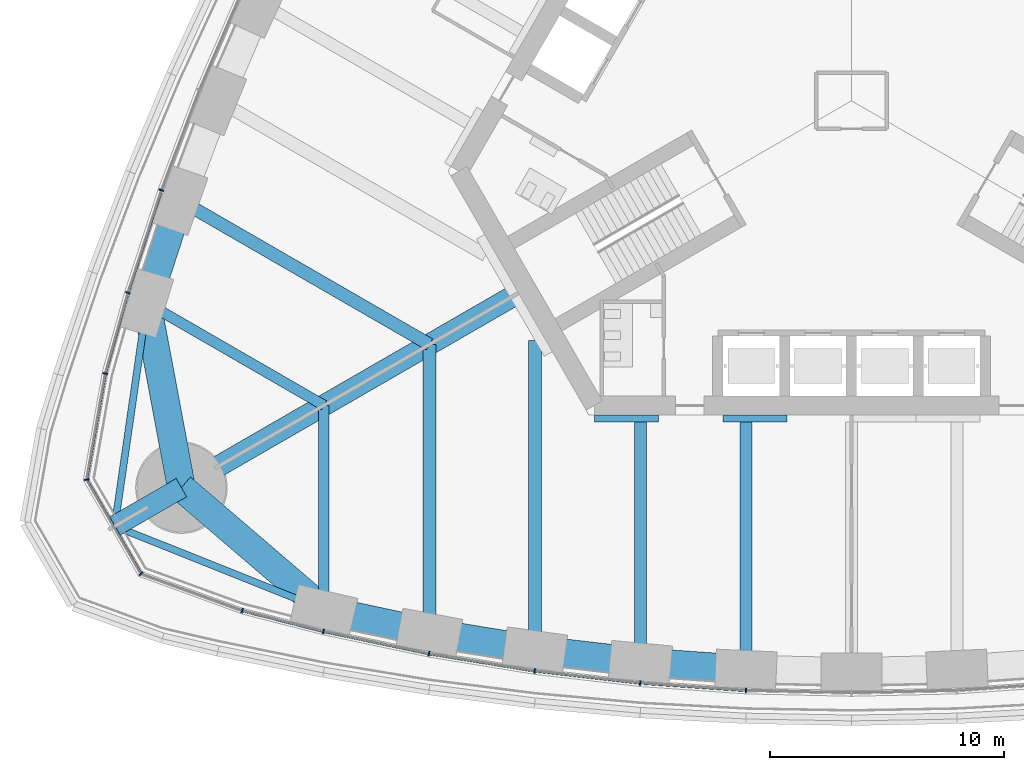
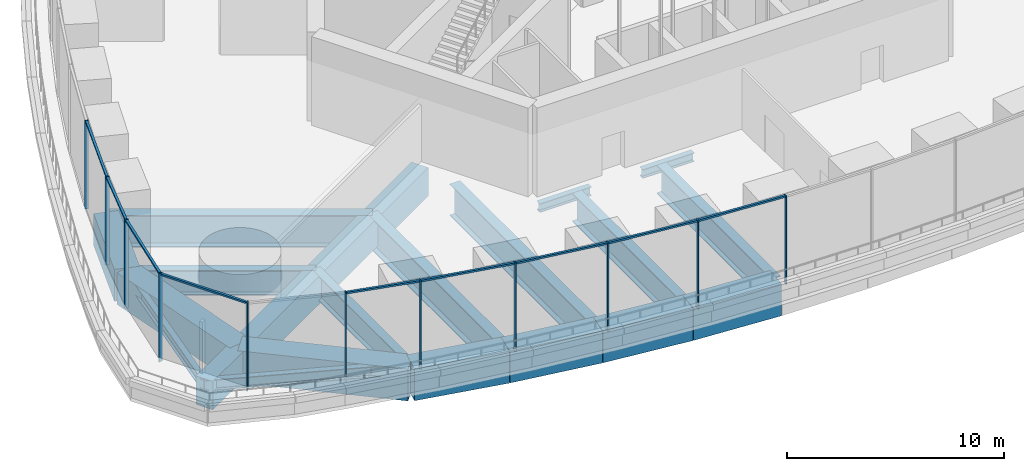
# One storey, part 2 of 31: 20 beams, 20 members, 3 elements without a shape of their own.
"""IFC4 building model written with IfcOpenShell, lengths in metres."""

import ifcopenshell
import ifcopenshell.guid

model = None  # the IFC model being written
_history = None  # IfcOwnerHistory: only IFC2X3 demands one
_inside = {}  # id of a spatial element -> (the spatial element, [elements in it])
_under = {}  # id of a project, library or spatial element -> (it, [spatial elements below it])
_declared = {}  # id of a project -> (the project, [libraries it declares])
_typed = {}  # id of a type object -> (the type object, [elements of that type])
_made_of = {}  # id of a material, layer set ... -> (it, [elements and type objects made of it])


def new_model(schema):
    """Start an empty IFC model of exactly this schema.

    Asked for "IFC4X3", IfcOpenShell would pick the latest addendum, in which some entities
    have other attributes; the version numbers below select the first issue.
    IFC2X3 requires an IfcOwnerHistory on every rooted entity: one is made here for all.
    """
    global model, _history
    if schema == "IFC4X3":
        model = ifcopenshell.file(schema_version=(4, 3, 0, 0))
    else:
        model = ifcopenshell.file(schema=schema)
    _inside.clear()
    _under.clear()
    _declared.clear()
    _typed.clear()
    _made_of.clear()
    _history = None
    if model.schema == "IFC2X3":
        org = make("IfcOrganization", Name="unknown")
        user = make(
            "IfcPersonAndOrganization",
            ThePerson=make("IfcPerson", FamilyName="unknown"),
            TheOrganization=org,
        )
        app = make(
            "IfcApplication",
            ApplicationDeveloper=org,
            Version="unknown",
            ApplicationFullName="unknown",
            ApplicationIdentifier="unknown",
        )
        _history = make(
            "IfcOwnerHistory",
            OwningUser=user,
            OwningApplication=app,
            ChangeAction="ADDED",
            CreationDate=0,
        )
    return model


def make(cls, **values):
    """One entity of the class cls with the attributes given. An attribute that is None is left unset."""
    return model.create_entity(
        cls, **{name: value for name, value in values.items() if value is not None}
    )


def rooted(cls, **values):
    """An entity with a GlobalId (a new one), such as an element, a storey or a relation."""
    return make(cls, GlobalId=ifcopenshell.guid.new(), OwnerHistory=_history, **values)


def si_unit(unit_type, name, prefix=None):
    """IfcSIUnit, for example si_unit("LENGTHUNIT", "METRE", prefix="MILLI")."""
    return make("IfcSIUnit", UnitType=unit_type, Prefix=prefix, Name=name)


def assignment(units):
    """IfcUnitAssignment: the units of a project."""
    return None if units is None else make("IfcUnitAssignment", Units=units)


def point(xyz):
    """IfcCartesianPoint."""
    return None if xyz is None else make("IfcCartesianPoint", Coordinates=xyz)


def direction(xyz):
    """IfcDirection."""
    return None if xyz is None else make("IfcDirection", DirectionRatios=xyz)


def frame(location, z_axis=None, x_axis=None):
    """IfcAxis2Placement3D, a coordinate frame: its origin and axes. An axis left out is left unset."""
    return make(
        "IfcAxis2Placement3D",
        Location=point(location),
        Axis=direction(z_axis),
        RefDirection=direction(x_axis),
    )


def frame_2d(location, x_axis=None):
    """IfcAxis2Placement2D, a coordinate frame in the plane: its origin and x axis."""
    return make(
        "IfcAxis2Placement2D", Location=point(location), RefDirection=direction(x_axis)
    )


def origin():
    """The frame at (0, 0, 0) with its axes left unset."""
    return frame((0.0, 0.0, 0.0))


def origin_2d():
    """The frame at (0, 0) in the plane with its x axis left unset."""
    return frame_2d((0.0, 0.0))


def place(relative_to, where):
    """IfcLocalPlacement: puts the frame where relative to a parent placement (None: the world)."""
    return make(
        "IfcLocalPlacement", PlacementRelTo=relative_to, RelativePlacement=where
    )


def context(
    kind, dimensions, precision=None, world=None, true_north=None, identifier=None
):
    """IfcGeometricRepresentationContext, for example the 3D "Model" context."""
    return make(
        "IfcGeometricRepresentationContext",
        ContextIdentifier=identifier,
        ContextType=kind,
        CoordinateSpaceDimension=dimensions,
        Precision=precision,
        WorldCoordinateSystem=world,
        TrueNorth=true_north,
    )


def subcontext(parent, identifier, kind, view, scale=None):
    """IfcGeometricRepresentationSubContext, for example "Body" below "Model"."""
    return make(
        "IfcGeometricRepresentationSubContext",
        ContextIdentifier=identifier,
        ContextType=kind,
        ParentContext=parent,
        TargetScale=scale,
        TargetView=view,
    )


def project(units=None, contexts=None):
    """IfcProject with its units and contexts."""
    return rooted(
        "IfcProject",
        Name="project",
        RepresentationContexts=contexts,
        UnitsInContext=assignment(units),
    )


def spatial(cls, under=None, at=None, **own):
    """A site, building, storey or space (cls), placed at a placement, below another one or the project."""
    s = rooted(cls, ObjectPlacement=at, **own)
    if under is not None:
        _under.setdefault(under.id(), (under, []))[1].append(s)
    return s


def profile(cls, at=None, kind="AREA", **sizes):
    """A parametric profile (cls). Its sizes go by their IFC names, for example OverallWidth=200.0."""
    return make(cls, ProfileType=kind, Position=at, **sizes)


def rectangle(**sizes):
    """IfcRectangleProfileDef."""
    return profile("IfcRectangleProfileDef", **sizes)


def i_section(**sizes):
    """IfcIShapeProfileDef."""
    return profile("IfcIShapeProfileDef", **sizes)


def extrude(swept, where, along, depth):
    """IfcExtrudedAreaSolid: the profile swept, set in the frame where, extruded along a direction by depth."""
    return make(
        "IfcExtrudedAreaSolid",
        SweptArea=swept,
        Position=where,
        ExtrudedDirection=direction(along),
        Depth=depth,
    )


def shape(context_of_items, identifier, shape_type, items):
    """IfcShapeRepresentation: the items that make up one representation, for example the "Body"."""
    return make(
        "IfcShapeRepresentation",
        ContextOfItems=context_of_items,
        RepresentationIdentifier=identifier,
        RepresentationType=shape_type,
        Items=items,
    )


def material(Name=None, Category=None):
    """IfcMaterial."""
    return make("IfcMaterial", Name=Name, Category=Category)


def material_profile(
    of_material, cross_section, Name=None, Category=None, Priority=None
):
    """IfcMaterialProfile: a cross section and its material."""
    return make(
        "IfcMaterialProfile",
        Name=Name,
        Material=of_material,
        Profile=cross_section,
        Priority=Priority,
        Category=Category,
    )


def profile_set(profiles, Name=None, composite=None):
    """IfcMaterialProfileSet."""
    return make(
        "IfcMaterialProfileSet",
        Name=Name,
        MaterialProfiles=profiles,
        CompositeProfile=composite,
    )


def made_of(thing, what):
    """Note that an element or type object is made of a material, layer set ...; save() writes the relation."""
    if what is not None:
        _made_of.setdefault(what.id(), (what, []))[1].append(thing)
    return thing


def type_object(cls, material=None, **own):
    """A type object (cls), such as IfcWallType, which elements share."""
    return made_of(rooted(cls, **own), material)


def element(
    cls,
    number,
    at=None,
    inside=None,
    cuts=None,
    type_object=None,
    material=None,
    context=None,
    identifier="Body",
    shape_type=None,
    held_by="IfcProductDefinitionShape",
    body=None,
    shapes=None,
    **own,
):
    """One element of the class cls, such as IfcWall. Its Tag is "e" and its number.

    at: its placement. inside: the storey or other place that contains it. cuts: it is an
    opening in that element (IfcRelVoidsElement). A single representation is given by context,
    identifier, shape_type and body (its items); several are given by shapes. held_by: the class
    of the entity that holds the representations. save() writes the other relations.
    """
    e = rooted(cls, Tag="e%d" % number, ObjectPlacement=at, **own)
    if body is not None:
        shapes = [shape(context, identifier, shape_type, body)]
    if shapes is not None:
        e.Representation = make(held_by, Representations=shapes)
    if inside is not None:
        _inside.setdefault(inside.id(), (inside, []))[1].append(e)
    if cuts is not None:
        rooted(
            "IfcRelVoidsElement", RelatingBuildingElement=cuts, RelatedOpeningElement=e
        )
    if type_object is not None:
        _typed.setdefault(type_object.id(), (type_object, []))[1].append(e)
    return made_of(e, material)


def aggregate(whole, parts):
    """IfcRelAggregates: a whole, such as a stair, and the parts it consists of."""
    return rooted("IfcRelAggregates", RelatingObject=whole, RelatedObjects=parts)


def save(model, path):
    """Write the relations noted so far, then the file.

    IfcRelAggregates (storeys below a building ...), IfcRelContainedInSpatialStructure (elements
    in a storey), IfcRelDefinesByType, IfcRelAssociatesMaterial and IfcRelDeclares: one each for
    every whole, place, type object, material and project.
    """
    for whole, parts in _under.values():
        aggregate(whole, parts)
    for where, things in _inside.values():
        rooted(
            "IfcRelContainedInSpatialStructure",
            RelatedElements=things,
            RelatingStructure=where,
        )
    for kind, things in _typed.values():
        rooted("IfcRelDefinesByType", RelatedObjects=things, RelatingType=kind)
    for what, things in _made_of.values():
        rooted("IfcRelAssociatesMaterial", RelatedObjects=things, RelatingMaterial=what)
    for by, libraries in _declared.values():
        rooted("IfcRelDeclares", RelatingContext=by, RelatedDefinitions=libraries)
    model.write(path)


model = new_model("IFC4")

# Units and contexts
model_context = context("Model", 3, precision=1e-05, world=origin(), true_north=direction((0.0, 1.0)))
body_context = subcontext(model_context, "Body", "Model", "MODEL_VIEW")
ifc_project = project(units=[si_unit("LENGTHUNIT", "METRE"), si_unit("AREAUNIT", "SQUARE_METRE"), si_unit("VOLUMEUNIT", "CUBIC_METRE"), si_unit("PLANEANGLEUNIT", "RADIAN"), si_unit("MASSUNIT", "GRAM", prefix="KILO")], contexts=[model_context])

# Site, building, storey
site_placement = place(None, origin())
site = spatial("IfcSite", under=ifc_project, at=site_placement, CompositionType="ELEMENT")
building_placement = place(site_placement, origin())
building = spatial("IfcBuilding", under=site, at=building_placement, Name="Trefoil Bronze Tower", CompositionType="ELEMENT")
storey_placement = place(building_placement, frame((0.0, 0.0, 184.699951171875)))
storey = spatial("IfcBuildingStorey", under=building, at=storey_placement, Name="L42", CompositionType="ELEMENT", Elevation=184.699951171875)

# Curtain wall, members
ifc_material_1 = material(Name="Tinted solar-control glass", Category="glass")
curtain_wall_type_1 = type_object("IfcCurtainWallType", Name="Bronze rounded corner curtain wall", PredefinedType="USERDEFINED", material=ifc_material_1)
curtain_wall_1_placement = place(storey_placement, origin())
curtain_wall_1 = element("IfcCurtainWall", 1, at=curtain_wall_1_placement, inside=storey, type_object=curtain_wall_type_1, Name="CW-B L42 K3", ObjectType="CURTAIN WALL", PredefinedType="USERDEFINED")
ifc_material_2 = material(Name="Bronze-finish aluminium", Category="aluminium")
ifc_material_profile_1 = material_profile(ifc_material_2, rectangle(XDim=0.199951171875, YDim=0.06005859375, at=origin_2d()), Name="CW-B mullion")
ifc_profile_set_1 = profile_set([ifc_material_profile_1], Name="Bronze-finish aluminium")
member_type_1 = type_object("IfcMemberType", Name="Bronze rounded corner curtain wall mullion", PredefinedType="MULLION", material=ifc_profile_set_1)
member_1_placement = place(storey_placement, frame((-31.824951171875, -11.63330078125, 0.0), z_axis=(0.0, 0.0, 1.0), x_axis=(0.984807753012, -0.173648177667, 0.0)))
member_1 = element("IfcMember", 2, at=member_1_placement, type_object=member_type_1, Name="CW-B L42 K3 mullion 1", PredefinedType="MULLION", context=body_context, shape_type="SweptSolid", body=[
    extrude(rectangle(XDim=0.199951171875, YDim=0.06005859375, at=origin_2d()), origin(), (0.0, 0.0, 1.0), 4.97998046875),
])
member_2_placement = place(storey_placement, frame((-32.616943359375, -16.158935546875, 0.0), z_axis=(0.0, 0.0, 1.0), x_axis=(0.984807753012, 0.173648177667, 0.0)))
member_2 = element("IfcMember", 3, at=member_2_placement, type_object=member_type_1, Name="CW-B L42 K3 mullion 2", PredefinedType="MULLION", context=body_context, shape_type="SweptSolid", body=[
    extrude(rectangle(XDim=0.199951171875, YDim=0.06005859375, at=origin_2d()), origin(), (0.0, 0.0, 1.0), 4.97998046875),
])
member_3_placement = place(storey_placement, frame((-30.302490234375, -20.16748046875, 0.0), z_axis=(0.0, 0.0, 1.0), x_axis=(0.642787609687, 0.766044443119, 0.0)))
member_3 = element("IfcMember", 4, at=member_3_placement, type_object=member_type_1, Name="CW-B L42 K3 mullion 3", PredefinedType="MULLION", context=body_context, shape_type="SweptSolid", body=[
    extrude(rectangle(XDim=0.199951171875, YDim=0.06005859375, at=origin_2d()), origin(), (0.0, 0.0, 1.0), 4.97998046875),
])
member_4_placement = place(storey_placement, frame((-25.9873046875, -21.74462890625, 0.0), z_axis=(0.0, 0.0, 1.0), x_axis=(0.342020143326, 0.939692620786, 0.0)))
member_4 = element("IfcMember", 5, at=member_4_placement, type_object=member_type_1, Name="CW-B L42 K3 mullion 4", PredefinedType="MULLION", context=body_context, shape_type="SweptSolid", body=[
    extrude(rectangle(XDim=0.199951171875, YDim=0.06005859375, at=origin_2d()), origin(), (0.0, 0.0, 1.0), 4.97998046875),
])
ifc_material_3 = material(Name="Bronze-finish aluminium", Category="aluminium")
ifc_material_profile_2 = material_profile(ifc_material_3, rectangle(XDim=0.1201171875, YDim=0.10009765625, at=origin_2d()), Name="CW-B transom")
ifc_profile_set_2 = profile_set([ifc_material_profile_2], Name="Bronze-finish aluminium")
member_type_2 = type_object("IfcMemberType", Name="Bronze rounded corner curtain wall transom", PredefinedType="USERDEFINED", material=ifc_profile_set_2)
member_5_placement = place(storey_placement, frame((-31.830078125, -11.662841796875, 4.929931640625), z_axis=(-0.173655350028, -0.984806488304, 0.0), x_axis=(0.984806488304, -0.173655350028, 0.0)))
member_5 = element("IfcMember", 6, at=member_5_placement, type_object=member_type_2, Name="CW-B L42 K3 transom 1", ObjectType="TRANSOM", PredefinedType="USERDEFINED", context=body_context, shape_type="SweptSolid", body=[
    extrude(rectangle(XDim=0.1201171875, YDim=0.10009765625, at=origin_2d()), origin(), (0.0, 0.0, 1.0), 4.500244140625),
])
member_6_placement = place(storey_placement, frame((-32.590087890625, -16.217529296875, 4.929931640625), z_axis=(0.500007335828, -0.866021168401, 0.0), x_axis=(0.866021168401, 0.500007335828, 0.0)))
member_6 = element("IfcMember", 7, at=member_6_placement, type_object=member_type_2, Name="CW-B L42 K3 transom 2", ObjectType="TRANSOM", PredefinedType="USERDEFINED", context=body_context, shape_type="SweptSolid", body=[
    extrude(rectangle(XDim=0.1201171875, YDim=0.10009765625, at=origin_2d()), origin(), (0.0, 0.0, 1.0), 4.50048828125),
])
aggregate(curtain_wall_1, [member_1, member_2, member_3, member_4, member_5, member_6])

ifc_material_4 = material(Name="Tinted solar-control glass", Category="glass")
curtain_wall_type_2 = type_object("IfcCurtainWallType", Name="Bronze sky lobby curtain wall", PredefinedType="USERDEFINED", material=ifc_material_4)
curtain_wall_2_placement = place(storey_placement, origin())
curtain_wall_2 = element("IfcCurtainWall", 8, at=curtain_wall_2_placement, inside=storey, type_object=curtain_wall_type_2, Name="CW-D L42 F1", ObjectType="CURTAIN WALL", PredefinedType="USERDEFINED")
ifc_material_5 = material(Name="Bronze-finish aluminium", Category="aluminium")
ifc_material_profile_3 = material_profile(ifc_material_5, rectangle(XDim=0.199951171875, YDim=0.06005859375, at=origin_2d()), Name="CW-D mullion")
ifc_profile_set_3 = profile_set([ifc_material_profile_3], Name="Bronze-finish aluminium")
member_type_3 = type_object("IfcMemberType", Name="Bronze sky lobby curtain wall mullion", PredefinedType="MULLION", material=ifc_profile_set_3)
member_7_placement = place(storey_placement, frame((-22.522705078125, -22.62939453125, 0.0), z_axis=(0.0, 0.0, 1.0), x_axis=(0.227082662569, 0.973875487093, 0.0)))
member_7 = element("IfcMember", 9, at=member_7_placement, type_object=member_type_3, Name="CW-D L42 F1 mullion 2", PredefinedType="MULLION", context=body_context, shape_type="SweptSolid", body=[
    extrude(rectangle(XDim=0.199951171875, YDim=0.06005859375, at=origin_2d()), origin(), (0.0, 0.0, 1.0), 4.97998046875),
])
member_8_placement = place(storey_placement, frame((-18.018310546875, -23.581298828125, 0.0), z_axis=(0.0, 0.0, 1.0), x_axis=(0.183825368167, 0.982958917767, 0.0)))
member_8 = element("IfcMember", 10, at=member_8_placement, type_object=member_type_3, Name="CW-D L42 F1 mullion 3", PredefinedType="MULLION", context=body_context, shape_type="SweptSolid", body=[
    extrude(rectangle(XDim=0.199951171875, YDim=0.06005859375, at=origin_2d()), origin(), (0.0, 0.0, 1.0), 4.97998046875),
])
member_9_placement = place(storey_placement, frame((-13.513671875, -24.315185546875, 0.0), z_axis=(0.0, 0.0, 1.0), x_axis=(0.137867887204, 0.990450627582, 0.0)))
member_9 = element("IfcMember", 11, at=member_9_placement, type_object=member_type_3, Name="CW-D L42 F1 mullion 4", PredefinedType="MULLION", context=body_context, shape_type="SweptSolid", body=[
    extrude(rectangle(XDim=0.199951171875, YDim=0.06005859375, at=origin_2d()), origin(), (0.0, 0.0, 1.0), 4.97998046875),
])
member_10_placement = place(storey_placement, frame((-9.00927734375, -24.8359375, 0.0), z_axis=(0.0, 0.0, 1.0), x_axis=(0.091911396394, 0.995767189263, 0.0)))
member_10 = element("IfcMember", 12, at=member_10_placement, type_object=member_type_3, Name="CW-D L42 F1 mullion 5", PredefinedType="MULLION", context=body_context, shape_type="SweptSolid", body=[
    extrude(rectangle(XDim=0.199951171875, YDim=0.06005859375, at=origin_2d()), origin(), (0.0, 0.0, 1.0), 4.97998046875),
])
member_11_placement = place(storey_placement, frame((-4.504638671875, -25.147216796875, 0.0), z_axis=(0.0, 0.0, 1.0), x_axis=(0.045955542372, 0.998943485952, 0.0)))
member_11 = element("IfcMember", 13, at=member_11_placement, type_object=member_type_3, Name="CW-D L42 F1 mullion 6", PredefinedType="MULLION", context=body_context, shape_type="SweptSolid", body=[
    extrude(rectangle(XDim=0.199951171875, YDim=0.06005859375, at=origin_2d()), origin(), (0.0, 0.0, 1.0), 4.97998046875),
])

curtain_wall_3_placement = place(storey_placement, origin())
curtain_wall_3 = element("IfcCurtainWall", 14, at=curtain_wall_3_placement, inside=storey, type_object=curtain_wall_type_2, Name="CW-D L42 F3 run 3", ObjectType="CURTAIN WALL", PredefinedType="USERDEFINED")
member_12_placement = place(storey_placement, frame((-29.43115234375, -3.813720703125, 0.0), z_axis=(0.0, 0.0, 1.0), x_axis=(0.943180077746, -0.332282020191, 0.0)))
member_12 = element("IfcMember", 15, at=member_12_placement, type_object=member_type_3, Name="CW-D L42 F3 run 3 mullion 4", PredefinedType="MULLION", context=body_context, shape_type="SweptSolid", body=[
    extrude(rectangle(XDim=0.199951171875, YDim=0.06005859375, at=origin_2d()), origin(), (0.0, 0.0, 1.0), 4.97998046875),
])
member_13_placement = place(storey_placement, frame((-30.85888671875, -8.1904296875, 0.0), z_axis=(0.0, 0.0, 1.0), x_axis=(0.95694224323, -0.290278389002, 0.0)))
member_13 = element("IfcMember", 16, at=member_13_placement, type_object=member_type_3, Name="CW-D L42 F3 run 3 mullion 5", PredefinedType="MULLION", context=body_context, shape_type="SweptSolid", body=[
    extrude(rectangle(XDim=0.199951171875, YDim=0.06005859375, at=origin_2d()), origin(), (0.0, 0.0, 1.0), 4.97998046875),
])

# Member
ifc_material_6 = material(Name="Bronze-finish aluminium", Category="aluminium")
ifc_material_profile_4 = material_profile(ifc_material_6, rectangle(XDim=0.1201171875, YDim=0.10009765625, at=origin_2d()), Name="CW-D transom")
ifc_profile_set_4 = profile_set([ifc_material_profile_4], Name="Bronze-finish aluminium")
member_type_4 = type_object("IfcMemberType", Name="Bronze sky lobby curtain wall transom", PredefinedType="USERDEFINED", material=ifc_profile_set_4)
member_14_placement = place(storey_placement, frame((-25.94873046875, -21.7548828125, 4.929931640625), z_axis=(0.968925527682, -0.24735262644, 0.0), x_axis=(0.24735262644, 0.968925527682, 0.0)))
member_14 = element("IfcMember", 17, at=member_14_placement, type_object=member_type_4, Name="CW-D L42 F1 transom 1", ObjectType="TRANSOM", PredefinedType="USERDEFINED", context=body_context, shape_type="SweptSolid", body=[
    extrude(rectangle(XDim=0.1201171875, YDim=0.10009765625, at=origin_2d()), origin(), (0.0, 0.0, 1.0), 3.50390625),
])

member_15_placement = place(storey_placement, frame((-22.4912109375, -22.635986328125, 4.929931640625), z_axis=(0.978394288231, -0.206747712823, 0.0), x_axis=(0.206747712823, 0.978394288231, 0.0)))
member_15 = element("IfcMember", 18, at=member_15_placement, type_object=member_type_4, Name="CW-D L42 F1 transom 2", ObjectType="TRANSOM", PredefinedType="USERDEFINED", context=body_context, shape_type="SweptSolid", body=[
    extrude(rectangle(XDim=0.1201171875, YDim=0.10009765625, at=origin_2d()), origin(), (0.0, 0.0, 1.0), 4.539306640625),
])

member_16_placement = place(storey_placement, frame((-17.986572265625, -23.58642578125, 4.929931640625), z_axis=(0.986982844558, -0.160825571812, 0.0), x_axis=(0.160825571812, 0.986982844558, 0.0)))
member_16 = element("IfcMember", 19, at=member_16_placement, type_object=member_type_4, Name="CW-D L42 F1 transom 3", ObjectType="TRANSOM", PredefinedType="USERDEFINED", context=body_context, shape_type="SweptSolid", body=[
    extrude(rectangle(XDim=0.1201171875, YDim=0.10009765625, at=origin_2d()), origin(), (0.0, 0.0, 1.0), 4.49951171875),
])

member_17_placement = place(storey_placement, frame((-13.481689453125, -24.31884765625, 4.929931640625), z_axis=(0.993381638917, -0.114860434717, 0.0), x_axis=(0.114860434717, 0.993381638917, 0.0)))
member_17 = element("IfcMember", 20, at=member_17_placement, type_object=member_type_4, Name="CW-D L42 F1 transom 4", ObjectType="TRANSOM", PredefinedType="USERDEFINED", context=body_context, shape_type="SweptSolid", body=[
    extrude(rectangle(XDim=0.1201171875, YDim=0.10009765625, at=origin_2d()), origin(), (0.0, 0.0, 1.0), 4.469970703125),
])

member_18_placement = place(storey_placement, frame((-8.97705078125, -24.838134765625, 4.929931640625), z_axis=(0.997620060713, -0.068950811916, 0.0), x_axis=(0.068950811916, 0.997620060713, 0.0)))
member_18 = element("IfcMember", 21, at=member_18_placement, type_object=member_type_4, Name="CW-D L42 F1 transom 5", ObjectType="TRANSOM", PredefinedType="USERDEFINED", context=body_context, shape_type="SweptSolid", body=[
    extrude(rectangle(XDim=0.1201171875, YDim=0.10009765625, at=origin_2d()), origin(), (0.0, 0.0, 1.0), 4.45068359375),
])

aggregate(curtain_wall_2, [member_7, member_8, member_9, member_10, member_11, member_14, member_15, member_16, member_17, member_18])

member_19_placement = place(storey_placement, frame((-29.441162109375, -3.844482421875, 4.929931640625), z_axis=(-0.310170666539, -0.950680891582, 0.0), x_axis=(0.950680891582, -0.310170666539, 0.0)))
member_19 = element("IfcMember", 22, at=member_19_placement, type_object=member_type_4, Name="CW-D L42 F3 run 3 transom 4", ObjectType="TRANSOM", PredefinedType="USERDEFINED", context=body_context, shape_type="SweptSolid", body=[
    extrude(rectangle(XDim=0.1201171875, YDim=0.10009765625, at=origin_2d()), origin(), (0.0, 0.0, 1.0), 4.539306640625),
])

member_20_placement = place(storey_placement, frame((-30.86767578125, -8.221435546875, 4.929931640625), z_axis=(-0.270291518575, -0.962778528524, 0.0), x_axis=(0.962778528524, -0.270291518575, 0.0)))
member_20 = element("IfcMember", 23, at=member_20_placement, type_object=member_type_4, Name="CW-D L42 F3 run 3 transom 5", ObjectType="TRANSOM", PredefinedType="USERDEFINED", context=body_context, shape_type="SweptSolid", body=[
    extrude(rectangle(XDim=0.1201171875, YDim=0.10009765625, at=origin_2d()), origin(), (0.0, 0.0, 1.0), 3.503662109375),
])

aggregate(curtain_wall_3, [member_12, member_13, member_19, member_20])

# Beams
ifc_material_7 = material(Name="Steel C355", Category="steel")
ifc_material_profile_5 = material_profile(ifc_material_7, i_section(OverallWidth=0.300048828125, OverallDepth=0.5, WebThickness=0.014404296875, FlangeThickness=0.028076171875, FilletRadius=0.027099609375, at=origin_2d()), Name="HEB 500")
ifc_profile_set_5 = profile_set([ifc_material_profile_5], Name="Steel C355")
beam_type_1 = type_object("IfcBeamType", Name="Core seat beam HEB 500", PredefinedType="BEAM", material=ifc_profile_set_5)
for number, where, z_axis, x_axis, name in (
    (24, (-10.9697265625, -13.550048828125, -0.449951171875), (1.0, 0.0, 0.0), (0.0, 1.0, 0.0), "Core seat beam F1/-2 L42"),
    (25, (-5.48486328125, -13.550048828125, -0.449951171875), (1.0, 0.0, 0.0), (0.0, 1.0, 0.0), "Core seat beam F1/-1 L42"),
):
    element("IfcBeam", number, at=place(storey_placement, frame(where, z_axis=z_axis, x_axis=x_axis)), inside=storey, type_object=beam_type_1, Name=name, PredefinedType="BEAM", context=body_context, shape_type="SweptSolid", body=[
        extrude(i_section(OverallWidth=0.300048828125, OverallDepth=0.5, WebThickness=0.014404296875, FlangeThickness=0.028076171875, FilletRadius=0.027099609375, at=origin_2d()), origin(), (0.0, 0.0, 1.0), 2.742431640625),
    ])
ifc_material_8 = material(Name="Concrete B80", Category="concrete")
ifc_material_profile_6 = material_profile(ifc_material_8, rectangle(XDim=0.89990234375, YDim=1.60009765625, at=origin_2d()), Name="RC 900x1600")
ifc_profile_set_6 = profile_set([ifc_material_profile_6], Name="Concrete B80")
beam_type_2 = type_object("IfcBeamType", Name="Corner cantilever RC 900x1600", PredefinedType="BEAM", material=ifc_profile_set_6)
beam_1_placement = place(storey_placement, frame((-28.578857421875, -16.5, -1.0), z_axis=(-0.866016004958, -0.500016278891, 0.0), x_axis=(0.500016278891, -0.866016004958, 0.0)))
element("IfcBeam", 26, at=beam_1_placement, inside=storey, type_object=beam_type_2, Name="Corner cantilever K3 L42", PredefinedType="BEAM", context=body_context, shape_type="SweptSolid", body=[
    extrude(rectangle(XDim=0.89990234375, YDim=1.60009765625, at=origin_2d()), origin(), (0.0, 0.0, 1.0), 3.28466796875),
])
ifc_material_9 = material(Name="Steel C355", Category="steel")
ifc_material_profile_7 = material_profile(ifc_material_9, i_section(OverallWidth=0.300048828125, OverallDepth=0.60009765625, WebThickness=0.015380859375, FlangeThickness=0.030029296875, FilletRadius=0.027099609375, at=origin_2d()), Name="HEB 600")
ifc_profile_set_7 = profile_set([ifc_material_profile_7], Name="Steel C355")
beam_type_3 = type_object("IfcBeamType", Name="Corner edge beam HEB 600", PredefinedType="BEAM", material=ifc_profile_set_7)
for number, where, z_axis, x_axis, name in (
    (27, (-22.5, -21.71044921875, -0.5), (-0.92852048463, 0.371281173266, 0.0), (-0.371281173266, -0.92852048463, 0.0), "Corner edge beam F1B L42"),
    (28, (-30.052001953125, -8.63037109375, -0.5), (-0.142694489722, -0.989766781925, 0.0), (0.989766781925, -0.142694489722, 0.0), "Corner edge beam F3A L42"),
):
    element("IfcBeam", number, at=place(storey_placement, frame(where, z_axis=z_axis, x_axis=x_axis)), inside=storey, type_object=beam_type_3, Name=name, PredefinedType="BEAM", context=body_context, shape_type="SweptSolid", body=[
        extrude(i_section(OverallWidth=0.300048828125, OverallDepth=0.60009765625, WebThickness=0.015380859375, FlangeThickness=0.030029296875, FilletRadius=0.027099609375, at=origin_2d()), origin(), (0.0, 0.0, 1.0), 9.6103515625),
    ])
ifc_material_10 = material(Name="Concrete B80", Category="concrete")
ifc_material_profile_8 = material_profile(ifc_material_10, rectangle(XDim=0.89990234375, YDim=1.60009765625, at=origin_2d()), Name="RC 900x1600")
ifc_profile_set_8 = profile_set([ifc_material_profile_8], Name="Concrete B80")
beam_type_4 = type_object("IfcBeamType", Name="Corner girder RC 900x1600", PredefinedType="BEAM", material=ifc_profile_set_8)
beam_2_placement = place(storey_placement, frame((-14.202880859375, -8.199951171875, -1.0), z_axis=(-0.866023450265, -0.500003383579, 0.0), x_axis=(0.500003383579, -0.866023450265, 0.0)))
element("IfcBeam", 29, at=beam_2_placement, inside=storey, type_object=beam_type_4, Name="Corner girder K3 L42", PredefinedType="BEAM", context=body_context, shape_type="SweptSolid", body=[
    extrude(rectangle(XDim=0.89990234375, YDim=1.60009765625, at=origin_2d()), origin(), (0.0, 0.0, 1.0), 16.60009765625),
])
ifc_material_11 = material(Name="Concrete B80", Category="concrete")
ifc_material_profile_9 = material_profile(ifc_material_11, rectangle(XDim=1.199951171875, YDim=1.800048828125, at=origin_2d()), Name="RC 1200x1800")
ifc_profile_set_9 = profile_set([ifc_material_profile_9], Name="Concrete B80")
beam_type_5 = type_object("IfcBeamType", Name="End spandrel beam RC 1200x1800", PredefinedType="SPANDREL", material=ifc_profile_set_9)
for number, where, z_axis, x_axis, name in (
    (30, (-28.578857421875, -16.5, -1.099853515625), (0.759256602365, -0.650791373456, 0.0), (0.650791373456, 0.759256602365, 0.0), "Spandrel F1.1 L42"),
    (31, (-30.052001953125, -8.63037109375, -1.099853515625), (0.18399763073, -0.982926686933, 0.0), (0.982926686933, 0.18399763073, 0.0), "Spandrel F3.12 L42"),
):
    element("IfcBeam", number, at=place(storey_placement, frame(where, z_axis=z_axis, x_axis=x_axis)), inside=storey, type_object=beam_type_5, Name=name, PredefinedType="SPANDREL", context=body_context, shape_type="SweptSolid", body=[
        extrude(rectangle(XDim=1.199951171875, YDim=1.800048828125, at=origin_2d()), origin(), (0.0, 0.0, 1.0), 8.00634765625),
    ])
ifc_material_12 = material(Name="Steel C355", Category="steel")
ifc_material_profile_10 = material_profile(ifc_material_12, i_section(OverallWidth=0.449951171875, OverallDepth=1.39990234375, WebThickness=0.02294921875, FlangeThickness=0.044921875, FilletRadius=0.011962890625, at=origin_2d()), Name="WPG 1400")
ifc_profile_set_10 = profile_set([ifc_material_profile_10], Name="Steel C355")
beam_type_6 = type_object("IfcBeamType", Name="Floor beam WPG 1400", PredefinedType="BEAM", material=ifc_profile_set_10)
beam_3_placement = place(storey_placement, frame((-22.5, -21.71044921875, -0.89990234375), z_axis=(0.0, 1.0, 0.0), x_axis=(-1.0, 0.0, 0.0)))
element("IfcBeam", 32, at=beam_3_placement, inside=storey, type_object=beam_type_6, Name="Floor beam F1/-5 L42", PredefinedType="BEAM", context=body_context, shape_type="SweptSolid", body=[
    extrude(i_section(OverallWidth=0.449951171875, OverallDepth=1.39990234375, WebThickness=0.02294921875, FlangeThickness=0.044921875, FilletRadius=0.011962890625, at=origin_2d()), origin(), (0.0, 0.0, 1.0), 8.719970703125),
])
beam_4_placement = place(storey_placement, frame((-30.052001953125, -8.63037109375, -0.89990234375), z_axis=(0.866027535932, -0.499996306993, 0.0), x_axis=(0.499996306993, 0.866027535932, 0.0)))
element("IfcBeam", 33, at=beam_4_placement, inside=storey, type_object=beam_type_6, Name="Floor beam F3/+5 L42", PredefinedType="BEAM", context=body_context, shape_type="SweptSolid", body=[
    extrude(i_section(OverallWidth=0.449951171875, OverallDepth=1.39990234375, WebThickness=0.02294921875, FlangeThickness=0.044921875, FilletRadius=0.011962890625, at=origin_2d()), origin(), (0.0, 0.0, 1.0), 8.72021484375),
])
ifc_material_13 = material(Name="Steel C355", Category="steel")
ifc_material_profile_11 = material_profile(ifc_material_13, i_section(OverallWidth=0.5, OverallDepth=1.60009765625, WebThickness=0.02587890625, FlangeThickness=0.050048828125, FilletRadius=0.011962890625, at=origin_2d()), Name="WPG 1600")
ifc_profile_set_11 = profile_set([ifc_material_profile_11], Name="Steel C355")
beam_type_7 = type_object("IfcBeamType", Name="Floor beam WPG 1600", PredefinedType="BEAM", material=ifc_profile_set_11)
beam_5_placement = place(storey_placement, frame((-9.0, -23.932861328125, -1.0), z_axis=(0.0, 1.0, 0.0), x_axis=(-1.0, 0.0, 0.0)))
element("IfcBeam", 34, at=beam_5_placement, inside=storey, type_object=beam_type_7, Name="Floor beam F1/-2 L42", PredefinedType="BEAM", context=body_context, shape_type="SweptSolid", body=[
    extrude(i_section(OverallWidth=0.5, OverallDepth=1.60009765625, WebThickness=0.02587890625, FlangeThickness=0.050048828125, FilletRadius=0.011962890625, at=origin_2d()), origin(), (0.0, 0.0, 1.0), 10.23291015625),
])
beam_6_placement = place(storey_placement, frame((-4.5, -24.246337890625, -1.0), z_axis=(0.0, 1.0, 0.0), x_axis=(-1.0, 0.0, 0.0)))
element("IfcBeam", 35, at=beam_6_placement, inside=storey, type_object=beam_type_7, Name="Floor beam F1/-1 L42", PredefinedType="BEAM", context=body_context, shape_type="SweptSolid", body=[
    extrude(i_section(OverallWidth=0.5, OverallDepth=1.60009765625, WebThickness=0.02587890625, FlangeThickness=0.050048828125, FilletRadius=0.011962890625, at=origin_2d()), origin(), (0.0, 0.0, 1.0), 10.54638671875),
])
ifc_material_14 = material(Name="Steel C355", Category="steel")
ifc_material_profile_12 = material_profile(ifc_material_14, i_section(OverallWidth=0.550048828125, OverallDepth=1.800048828125, WebThickness=0.029052734375, FlangeThickness=0.054931640625, FilletRadius=0.013916015625, at=origin_2d()), Name="WPG 1800")
ifc_profile_set_12 = profile_set([ifc_material_profile_12], Name="Steel C355")
beam_type_8 = type_object("IfcBeamType", Name="Floor beam WPG 1800", PredefinedType="BEAM", material=ifc_profile_set_12)
beam_7_placement = place(storey_placement, frame((-18.0, -22.6689453125, -1.099853515625), z_axis=(0.0, 1.0, 0.0), x_axis=(-1.0, 0.0, 0.0)))
element("IfcBeam", 36, at=beam_7_placement, inside=storey, type_object=beam_type_8, Name="Floor beam F1/-4 L42", PredefinedType="BEAM", context=body_context, shape_type="SweptSolid", body=[
    extrude(i_section(OverallWidth=0.550048828125, OverallDepth=1.800048828125, WebThickness=0.029052734375, FlangeThickness=0.054931640625, FilletRadius=0.013916015625, at=origin_2d()), origin(), (0.0, 0.0, 1.0), 12.276611328125),
])
beam_8_placement = place(storey_placement, frame((-13.5, -23.408447265625, -1.099853515625), z_axis=(0.0, 1.0, 0.0), x_axis=(-1.0, 0.0, 0.0)))
element("IfcBeam", 37, at=beam_8_placement, inside=storey, type_object=beam_type_8, Name="Floor beam F1/-3 L42", PredefinedType="BEAM", context=body_context, shape_type="SweptSolid", body=[
    extrude(i_section(OverallWidth=0.550048828125, OverallDepth=1.800048828125, WebThickness=0.029052734375, FlangeThickness=0.054931640625, FilletRadius=0.013916015625, at=origin_2d()), origin(), (0.0, 0.0, 1.0), 13.191162109375),
])
beam_9_placement = place(storey_placement, frame((-28.632080078125, -4.25390625, -1.099853515625), z_axis=(0.866025635187, -0.499999599199, 0.0), x_axis=(0.499999599199, 0.866025635187, 0.0)))
element("IfcBeam", 38, at=beam_9_placement, inside=storey, type_object=beam_type_8, Name="Floor beam F3/+4 L42", PredefinedType="BEAM", context=body_context, shape_type="SweptSolid", body=[
    extrude(i_section(OverallWidth=0.550048828125, OverallDepth=1.800048828125, WebThickness=0.029052734375, FlangeThickness=0.054931640625, FilletRadius=0.013916015625, at=origin_2d()), origin(), (0.0, 0.0, 1.0), 12.27685546875),
])
ifc_material_15 = material(Name="Concrete B80", Category="concrete")
ifc_material_profile_13 = material_profile(ifc_material_15, rectangle(XDim=1.199951171875, YDim=1.800048828125, at=origin_2d()), Name="RC 1200x1800")
ifc_profile_set_13 = profile_set([ifc_material_profile_13], Name="Concrete B80")
beam_type_9 = type_object("IfcBeamType", Name="Spandrel beam RC 1200x1800", PredefinedType="SPANDREL", material=ifc_profile_set_13)
beam_10_placement = place(storey_placement, frame((-22.5, -21.71044921875, -1.099853515625), z_axis=(0.978059483036, -0.208325820877, 0.0), x_axis=(0.208325820877, 0.978059483036, 0.0)))
element("IfcBeam", 39, at=beam_10_placement, inside=storey, type_object=beam_type_9, Name="Spandrel F1.2 L42", PredefinedType="SPANDREL", context=body_context, shape_type="SweptSolid", body=[
    extrude(rectangle(XDim=1.199951171875, YDim=1.800048828125, at=origin_2d()), origin(), (0.0, 0.0, 1.0), 4.600830078125),
])
beam_11_placement = place(storey_placement, frame((-18.0, -22.6689453125, -1.099853515625), z_axis=(0.986764681833, -0.162158757664, 0.0), x_axis=(0.162158757664, 0.986764681833, 0.0)))
element("IfcBeam", 40, at=beam_11_placement, inside=storey, type_object=beam_type_9, Name="Spandrel F1.3 L42", PredefinedType="SPANDREL", context=body_context, shape_type="SweptSolid", body=[
    extrude(rectangle(XDim=1.199951171875, YDim=1.800048828125, at=origin_2d()), origin(), (0.0, 0.0, 1.0), 4.560302734375),
])
beam_12_placement = place(storey_placement, frame((-13.5, -23.408447265625, -1.099853515625), z_axis=(0.993278017132, -0.115753102257, 0.0), x_axis=(0.115753102257, 0.993278017132, 0.0)))
element("IfcBeam", 41, at=beam_12_placement, inside=storey, type_object=beam_type_9, Name="Spandrel F1.4 L42", PredefinedType="SPANDREL", context=body_context, shape_type="SweptSolid", body=[
    extrude(rectangle(XDim=1.199951171875, YDim=1.800048828125, at=origin_2d()), origin(), (0.0, 0.0, 1.0), 4.530517578125),
])
beam_13_placement = place(storey_placement, frame((-9.0, -23.932861328125, -1.099853515625), z_axis=(0.997582435881, -0.069493047291, 0.0), x_axis=(0.069493047291, 0.997582435881, 0.0)))
element("IfcBeam", 42, at=beam_13_placement, inside=storey, type_object=beam_type_9, Name="Spandrel F1.5 L42", PredefinedType="SPANDREL", context=body_context, shape_type="SweptSolid", body=[
    extrude(rectangle(XDim=1.199951171875, YDim=1.800048828125, at=origin_2d()), origin(), (0.0, 0.0, 1.0), 4.510986328125),
])
beam_14_placement = place(storey_placement, frame((-28.632080078125, -4.25390625, -1.099853515625), z_axis=(-0.308608505504, -0.951189145402, 0.0), x_axis=(0.951189145402, -0.308608505504, 0.0)))
element("IfcBeam", 43, at=beam_14_placement, inside=storey, type_object=beam_type_9, Name="Spandrel F3.11 L42", PredefinedType="SPANDREL", context=body_context, shape_type="SweptSolid", body=[
    extrude(rectangle(XDim=1.199951171875, YDim=1.800048828125, at=origin_2d()), origin(), (0.0, 0.0, 1.0), 4.60107421875),
])

save(model, "model.ifc")
